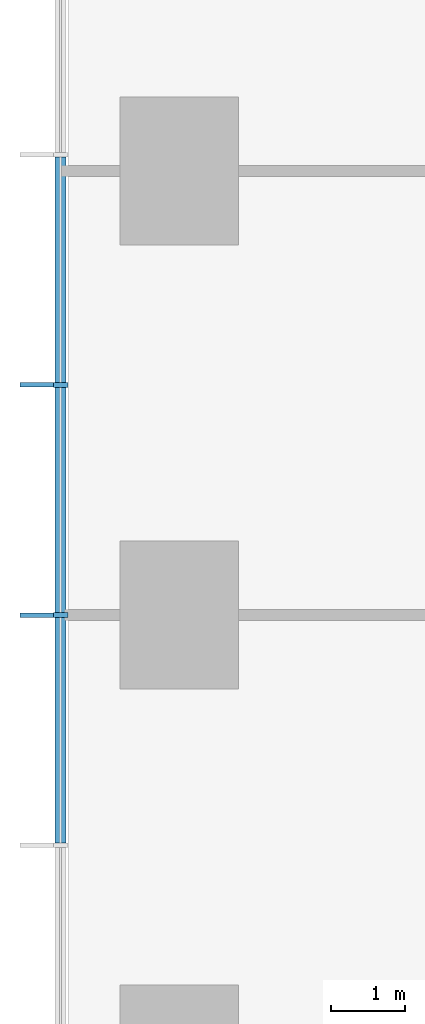
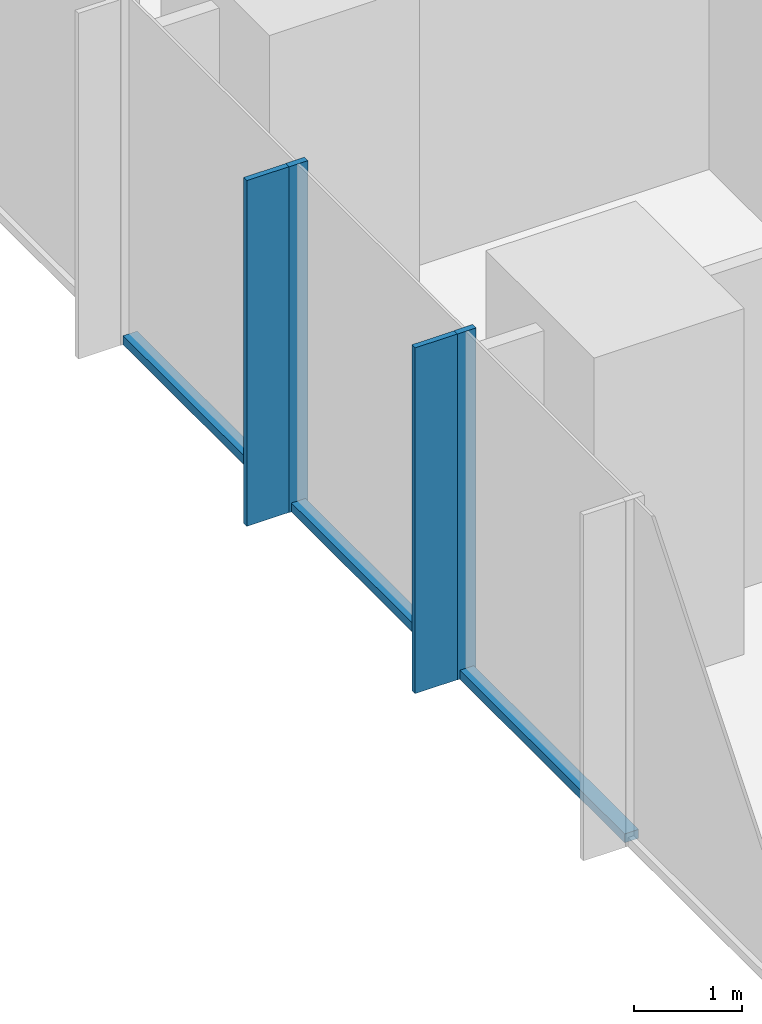
# One storey, part 3 of 12: 7 members, 1 element without a shape of its own.
"""IFC4 building model written with IfcOpenShell, lengths in metres."""

from ifc_helpers import new_model, si_unit, direction, frame, origin, origin_2d, place, context, subcontext, project, spatial, rectangle, extrude, material, layer, layer_set, material_profile, profile_set, type_object, element, aggregate, save


model = new_model("IFC4")

# Units and contexts
model_context = context("Model", 3, precision=1e-05, world=origin(), true_north=direction((0.0, 1.0)))
body_context = subcontext(model_context, "Body", "Model", "MODEL_VIEW")
ifc_project = project(units=[si_unit("LENGTHUNIT", "METRE"), si_unit("AREAUNIT", "SQUARE_METRE"), si_unit("VOLUMEUNIT", "CUBIC_METRE"), si_unit("PLANEANGLEUNIT", "RADIAN"), si_unit("MASSUNIT", "GRAM", prefix="KILO")], contexts=[model_context])

# Site, building, storey
site_placement = place(None, origin())
site = spatial("IfcSite", under=ifc_project, at=site_placement, CompositionType="ELEMENT")
building_placement = place(site_placement, origin())
building = spatial("IfcBuilding", under=site, at=building_placement, Name="Highveld Stack Headquarters", CompositionType="ELEMENT")
storey_placement = place(building_placement, frame((0.0, 0.0, 68.89990234375)))
storey = spatial("IfcBuildingStorey", under=building, at=storey_placement, Name="L16", CompositionType="ELEMENT", Elevation=68.89990234375)

# Curtain wall, members
ifc_material_1 = material(Name="Aluminium bronze anodised", Category="aluminium")
ifc_layer = layer(ifc_material_1, 0.199951171875)
ifc_layer_set = layer_set([ifc_layer], Name="Aluminium bronze anodised")
curtain_wall_type = type_object("IfcCurtainWallType", Name="CW1 TOWER UNITISED CURTAIN WALL", PredefinedType="NOTDEFINED", material=ifc_layer_set)
curtain_wall_placement = place(storey_placement, origin())
curtain_wall = element("IfcCurtainWall", 1, at=curtain_wall_placement, inside=storey, type_object=curtain_wall_type, Name="Curtain wall CW1 L16 W", PredefinedType="NOTDEFINED")
ifc_material_2 = material(Name="Aluminium bronze anodised", Category="aluminium")
ifc_material_profile_1 = material_profile(ifc_material_2, rectangle(XDim=0.449951171875, YDim=0.06005859375, at=origin_2d()), Name="FIN 450x60")
ifc_profile_set_1 = profile_set([ifc_material_profile_1], Name="Aluminium bronze anodised")
member_type_1 = type_object("IfcMemberType", Name="CW1 BRONZE FIN 450x60", PredefinedType="USERDEFINED", material=ifc_profile_set_1)
member_1_placement = place(storey_placement, frame((-19.925048828125, 9.110595703125, 0.0), z_axis=(0.0, 0.0, 1.0), x_axis=(1.0, 0.0, 0.0)))
member_1 = element("IfcMember", 2, at=member_1_placement, type_object=member_type_1, Name="CW1 fin L16 6", ObjectType="FIN", PredefinedType="USERDEFINED", context=body_context, shape_type="SweptSolid", body=[
    extrude(rectangle(XDim=0.449951171875, YDim=0.06005859375, at=origin_2d()), origin(), (0.0, 0.0, 1.0), 3.900146484375),
])
member_2_placement = place(storey_placement, frame((-19.925048828125, 6.0, 0.0), z_axis=(0.0, 0.0, 1.0), x_axis=(1.0, 0.0, 0.0)))
member_2 = element("IfcMember", 3, at=member_2_placement, type_object=member_type_1, Name="CW1 fin L16 7", ObjectType="FIN", PredefinedType="USERDEFINED", context=body_context, shape_type="SweptSolid", body=[
    extrude(rectangle(XDim=0.449951171875, YDim=0.06005859375, at=origin_2d()), origin(), (0.0, 0.0, 1.0), 3.900146484375),
])
ifc_material_3 = material(Name="Aluminium bronze anodised", Category="aluminium")
ifc_material_profile_2 = material_profile(ifc_material_3, rectangle(XDim=0.199951171875, YDim=0.06494140625, at=origin_2d()), Name="CW1 MULLION 65x200")
ifc_profile_set_2 = profile_set([ifc_material_profile_2], Name="Aluminium bronze anodised")
member_type_2 = type_object("IfcMemberType", Name="CW1 MULLION 65x200", PredefinedType="MULLION", material=ifc_profile_set_2)
member_3_placement = place(storey_placement, frame((-19.60009765625, 9.110595703125, 0.0), z_axis=(0.0, 0.0, 1.0), x_axis=(1.0, 0.0, 0.0)))
member_3 = element("IfcMember", 4, at=member_3_placement, type_object=member_type_2, Name="CW1 mullion L16 6", PredefinedType="MULLION", context=body_context, shape_type="SweptSolid", body=[
    extrude(rectangle(XDim=0.199951171875, YDim=0.06494140625, at=origin_2d()), origin(), (0.0, 0.0, 1.0), 3.900146484375),
])
member_4_placement = place(storey_placement, frame((-19.60009765625, 6.0, 0.0), z_axis=(0.0, 0.0, 1.0), x_axis=(1.0, 0.0, 0.0)))
member_4 = element("IfcMember", 5, at=member_4_placement, type_object=member_type_2, Name="CW1 mullion L16 7", PredefinedType="MULLION", context=body_context, shape_type="SweptSolid", body=[
    extrude(rectangle(XDim=0.199951171875, YDim=0.06494140625, at=origin_2d()), origin(), (0.0, 0.0, 1.0), 3.900146484375),
])
ifc_material_4 = material(Name="Aluminium bronze anodised", Category="aluminium")
ifc_material_profile_3 = material_profile(ifc_material_4, rectangle(XDim=0.14990234375, YDim=0.10009765625, at=origin_2d()), Name="CW1 TRANSOM 150x100")
ifc_profile_set_3 = profile_set([ifc_material_profile_3], Name="Aluminium bronze anodised")
member_type_3 = type_object("IfcMemberType", Name="CW1 STACK TRANSOM 150x100", PredefinedType="USERDEFINED", material=ifc_profile_set_3)
member_5_placement = place(storey_placement, frame((-19.60009765625, 12.1884765625, 0.050048828125), z_axis=(0.0, -1.0, 0.0), x_axis=(1.0, 0.0, 0.0)))
member_5 = element("IfcMember", 6, at=member_5_placement, type_object=member_type_3, Name="CW1 transom L16 5.1", ObjectType="TRANSOM", PredefinedType="USERDEFINED", context=body_context, shape_type="SweptSolid", body=[
    extrude(rectangle(XDim=0.14990234375, YDim=0.10009765625, at=origin_2d()), origin(), (0.0, 0.0, 1.0), 3.04541015625),
])
member_6_placement = place(storey_placement, frame((-19.60009765625, 9.077880859375, 0.050048828125), z_axis=(0.0, -1.0, 0.0), x_axis=(1.0, 0.0, 0.0)))
member_6 = element("IfcMember", 7, at=member_6_placement, type_object=member_type_3, Name="CW1 transom L16 6.1", ObjectType="TRANSOM", PredefinedType="USERDEFINED", context=body_context, shape_type="SweptSolid", body=[
    extrude(rectangle(XDim=0.14990234375, YDim=0.10009765625, at=origin_2d()), origin(), (0.0, 0.0, 1.0), 3.04541015625),
])
member_7_placement = place(storey_placement, frame((-19.60009765625, 5.967529296875, 0.050048828125), z_axis=(0.0, -1.0, 0.0), x_axis=(1.0, 0.0, 0.0)))
member_7 = element("IfcMember", 8, at=member_7_placement, type_object=member_type_3, Name="CW1 transom L16 7.1", ObjectType="TRANSOM", PredefinedType="USERDEFINED", context=body_context, shape_type="SweptSolid", body=[
    extrude(rectangle(XDim=0.14990234375, YDim=0.10009765625, at=origin_2d()), origin(), (0.0, 0.0, 1.0), 3.04541015625),
])
aggregate(curtain_wall, [member_3, member_1, member_4, member_2, member_5, member_6, member_7])

save(model, "model.ifc")
